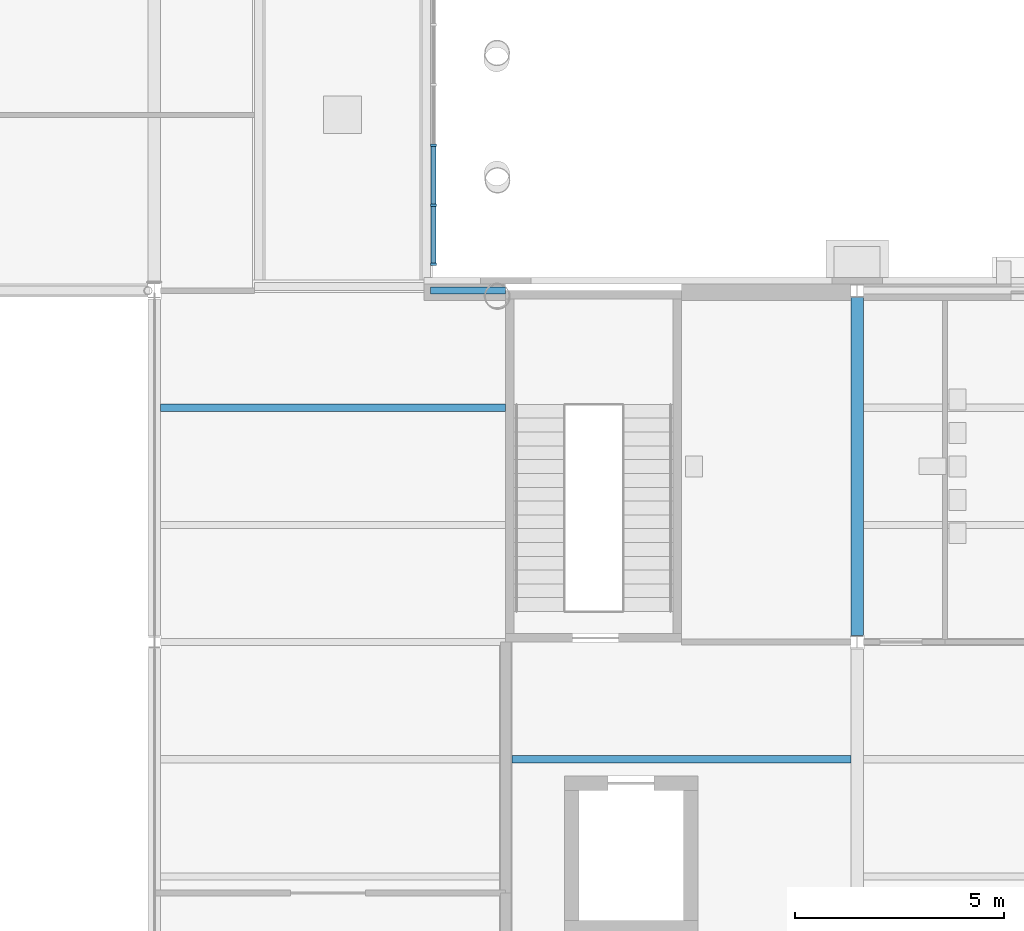
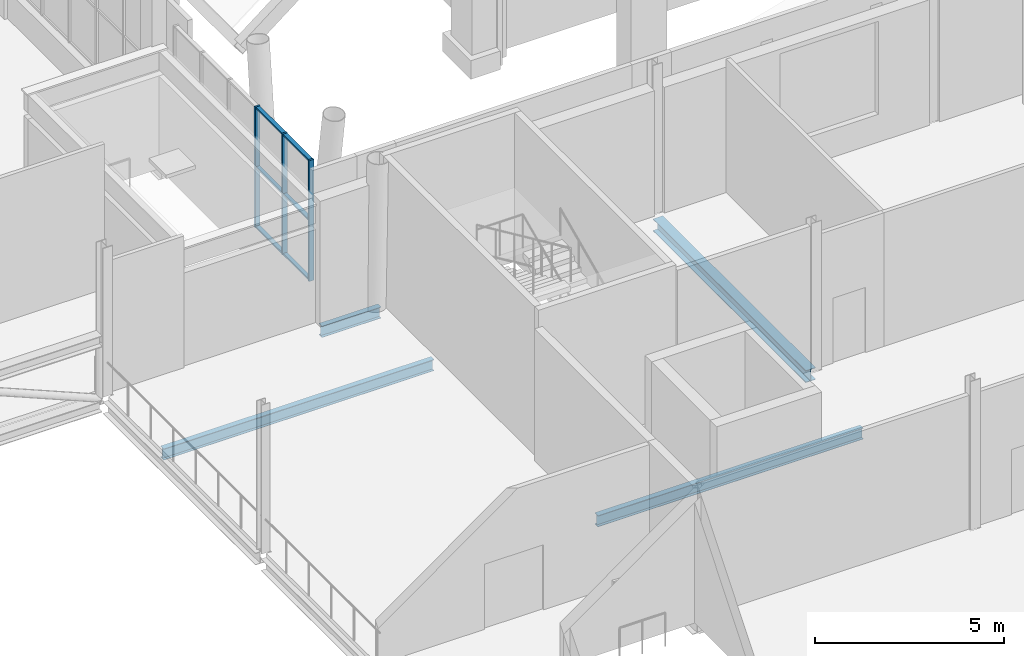
# One storey, part 24 of 76: 9 members, 4 beams, 1 element without a shape of its own.
"""IFC4 building model written with IfcOpenShell, lengths in metres."""

from ifc_helpers import new_model, si_unit, direction, frame, origin, origin_2d, place, context, subcontext, project, spatial, rectangle, i_section, extrude, material, material_profile, profile_set, type_object, element, aggregate, save


model = new_model("IFC4")

# Units and contexts
model_context = context("Model", 3, precision=1e-05, world=origin(), true_north=direction((0.0, 1.0)))
body_context = subcontext(model_context, "Body", "Model", "MODEL_VIEW")
ifc_project = project(units=[si_unit("LENGTHUNIT", "METRE"), si_unit("AREAUNIT", "SQUARE_METRE"), si_unit("VOLUMEUNIT", "CUBIC_METRE"), si_unit("PLANEANGLEUNIT", "RADIAN"), si_unit("MASSUNIT", "GRAM", prefix="KILO")], contexts=[model_context])

# Site, building, storey
site_placement = place(None, origin())
site = spatial("IfcSite", under=ifc_project, at=site_placement, CompositionType="ELEMENT")
building_placement = place(site_placement, origin())
building = spatial("IfcBuilding", under=site, at=building_placement, Name="Sava Quay Ferry Terminal", CompositionType="ELEMENT")
storey_placement = place(building_placement, frame((0.0, 0.0, 6.0)))
storey = spatial("IfcBuildingStorey", under=building, at=storey_placement, Name="L01", CompositionType="ELEMENT", Elevation=6.0)

# Beams
ifc_material_1 = material(Name="Steel S355", Category="steel")
ifc_material_profile_1 = material_profile(ifc_material_1, i_section(OverallWidth=0.169921875, OverallDepth=0.360107421875, WebThickness=0.008056640625, FlangeThickness=0.0126953125, at=origin_2d()), Name="IPE 360")
ifc_profile_set_1 = profile_set([ifc_material_profile_1], Name="Steel S355")
beam_type_1 = type_object("IfcBeamType", Name="Beam IPE 360", PredefinedType="BEAM", material=ifc_profile_set_1)
beam_1_placement = place(storey_placement, frame((82.199951171875, 50.39990234375, -0.31005859375), z_axis=(1.0, 0.0, 0.0), x_axis=(0.0, 1.0, 0.0)))
element("IfcBeam", 1, at=beam_1_placement, inside=storey, type_object=beam_type_1, Name="Beam L01", PredefinedType="BEAM", context=body_context, shape_type="SweptSolid", body=[
    extrude(i_section(OverallWidth=0.169921875, OverallDepth=0.360107421875, WebThickness=0.008056640625, FlangeThickness=0.0126953125, at=origin_2d()), origin(), (0.0, 0.0, 1.0), 1.800048828125),
])
beam_2_placement = place(storey_placement, frame((75.75, 47.60009765625, -0.31005859375), z_axis=(1.0, 0.0, 0.0), x_axis=(0.0, 1.0, 0.0)))
element("IfcBeam", 2, at=beam_2_placement, inside=storey, type_object=beam_type_1, Name="Secondary beam L01", PredefinedType="BEAM", context=body_context, shape_type="SweptSolid", body=[
    extrude(i_section(OverallWidth=0.169921875, OverallDepth=0.360107421875, WebThickness=0.008056640625, FlangeThickness=0.0126953125, at=origin_2d()), origin(), (0.0, 0.0, 1.0), 8.25),
])
beam_3_placement = place(storey_placement, frame((84.14990234375, 39.199951171875, -0.31005859375), z_axis=(1.0, 0.0, 0.0), x_axis=(0.0, 1.0, 0.0)))
element("IfcBeam", 3, at=beam_3_placement, inside=storey, type_object=beam_type_1, Name="Secondary beam L01", PredefinedType="BEAM", context=body_context, shape_type="SweptSolid", body=[
    extrude(i_section(OverallWidth=0.169921875, OverallDepth=0.360107421875, WebThickness=0.008056640625, FlangeThickness=0.0126953125, at=origin_2d()), origin(), (0.0, 0.0, 1.0), 8.10009765625),
])
ifc_material_2 = material(Name="Steel S355", Category="steel")
ifc_material_profile_2 = material_profile(ifc_material_2, i_section(OverallWidth=0.300048828125, OverallDepth=0.389892578125, WebThickness=0.010986328125, FlangeThickness=0.01904296875, at=origin_2d()), Name="HE 400 A")
ifc_profile_set_2 = profile_set([ifc_material_profile_2], Name="Steel S355")
beam_type_2 = type_object("IfcBeamType", Name="Girder HE 400 A", PredefinedType="BEAM", material=ifc_profile_set_2)
beam_4_placement = place(storey_placement, frame((92.39990234375, 42.159912109375, -0.324951171875), z_axis=(0.0, 1.0, 0.0), x_axis=(-1.0, 0.0, 0.0)))
element("IfcBeam", 4, at=beam_4_placement, inside=storey, type_object=beam_type_2, Name="Girder L01", PredefinedType="BEAM", context=body_context, shape_type="SweptSolid", body=[
    extrude(i_section(OverallWidth=0.300048828125, OverallDepth=0.389892578125, WebThickness=0.010986328125, FlangeThickness=0.01904296875, at=origin_2d()), origin(), (0.0, 0.0, 1.0), 8.080078125),
])

# Curtain wall, members
ifc_material_3 = material(Name="Aluminium and glass curtain wall, double low-e glazed", Category="aluminium")
curtain_wall_type = type_object("IfcCurtainWallType", Name="Curtain wall CW-F flank", PredefinedType="NOTDEFINED", material=ifc_material_3)
curtain_wall_placement = place(storey_placement, origin())
curtain_wall = element("IfcCurtainWall", 5, at=curtain_wall_placement, inside=storey, type_object=curtain_wall_type, Name="Curtain wall D-E L01 bay 1", PredefinedType="NOTDEFINED")
ifc_material_4 = material(Name="Aluminium EN AW-6063 T6", Category="aluminium")
ifc_material_profile_3 = material_profile(ifc_material_4, rectangle(XDim=0.14990234375, YDim=0.06005859375, at=origin_2d()), Name="Mullion 60x150 aluminium")
ifc_profile_set_3 = profile_set([ifc_material_profile_3], Name="Aluminium EN AW-6063 T6")
member_type_1 = type_object("IfcMemberType", Name="Mullion 60x150 aluminium", PredefinedType="MULLION", material=ifc_profile_set_3)
member_1_placement = place(storey_placement, frame((82.27490234375, 51.030029296875, 0.89990234375), z_axis=(0.0, 0.0, 1.0), x_axis=(-1.0, 0.0, 0.0)))
member_1 = element("IfcMember", 6, at=member_1_placement, type_object=member_type_1, Name="CW37 mullion 1", PredefinedType="MULLION", context=body_context, shape_type="SweptSolid", body=[
    extrude(rectangle(XDim=0.14990234375, YDim=0.06005859375, at=origin_2d()), origin(), (0.0, 0.0, 1.0), 3.900146484375),
])
member_2_placement = place(storey_placement, frame((82.27490234375, 52.43994140625, 0.89990234375), z_axis=(0.0, 0.0, 1.0), x_axis=(-1.0, 0.0, 0.0)))
member_2 = element("IfcMember", 7, at=member_2_placement, type_object=member_type_1, Name="CW37 mullion 2", PredefinedType="MULLION", context=body_context, shape_type="SweptSolid", body=[
    extrude(rectangle(XDim=0.14990234375, YDim=0.06005859375, at=origin_2d()), origin(), (0.0, 0.0, 1.0), 3.900146484375),
])
member_3_placement = place(storey_placement, frame((82.27490234375, 53.8798828125, 0.89990234375), z_axis=(0.0, 0.0, 1.0), x_axis=(-1.0, 0.0, 0.0)))
member_3 = element("IfcMember", 8, at=member_3_placement, type_object=member_type_1, Name="CW37 mullion 3", PredefinedType="MULLION", context=body_context, shape_type="SweptSolid", body=[
    extrude(rectangle(XDim=0.14990234375, YDim=0.06005859375, at=origin_2d()), origin(), (0.0, 0.0, 1.0), 3.900146484375),
])
ifc_material_5 = material(Name="Aluminium EN AW-6063 T6", Category="aluminium")
ifc_material_profile_4 = material_profile(ifc_material_5, rectangle(XDim=0.1201171875, YDim=0.050048828125, at=origin_2d()), Name="Transom 50x120 aluminium")
ifc_profile_set_4 = profile_set([ifc_material_profile_4], Name="Aluminium EN AW-6063 T6")
member_type_2 = type_object("IfcMemberType", Name="Transom 50x120 aluminium", PredefinedType="USERDEFINED", material=ifc_profile_set_4)
member_4_placement = place(storey_placement, frame((82.27490234375, 51.06005859375, 0.925048828125), z_axis=(0.0, 1.0, 0.0), x_axis=(-1.0, 0.0, 0.0)))
member_4 = element("IfcMember", 9, at=member_4_placement, type_object=member_type_2, Name="CW37 transom 1.1", ObjectType="TRANSOM", PredefinedType="USERDEFINED", context=body_context, shape_type="SweptSolid", body=[
    extrude(rectangle(XDim=0.1201171875, YDim=0.050048828125, at=origin_2d()), origin(), (0.0, 0.0, 1.0), 1.349853515625),
])
member_5_placement = place(storey_placement, frame((82.27490234375, 51.06005859375, 2.85009765625), z_axis=(0.0, 1.0, 0.0), x_axis=(-1.0, 0.0, 0.0)))
member_5 = element("IfcMember", 10, at=member_5_placement, type_object=member_type_2, Name="CW37 transom 1.2", ObjectType="TRANSOM", PredefinedType="USERDEFINED", context=body_context, shape_type="SweptSolid", body=[
    extrude(rectangle(XDim=0.1201171875, YDim=0.050048828125, at=origin_2d()), origin(), (0.0, 0.0, 1.0), 1.349853515625),
])
member_6_placement = place(storey_placement, frame((82.27490234375, 51.06005859375, 4.77490234375), z_axis=(0.0, 1.0, 0.0), x_axis=(-1.0, 0.0, 0.0)))
member_6 = element("IfcMember", 11, at=member_6_placement, type_object=member_type_2, Name="CW37 transom 1.3", ObjectType="TRANSOM", PredefinedType="USERDEFINED", context=body_context, shape_type="SweptSolid", body=[
    extrude(rectangle(XDim=0.1201171875, YDim=0.050048828125, at=origin_2d()), origin(), (0.0, 0.0, 1.0), 1.349853515625),
])
member_7_placement = place(storey_placement, frame((82.27490234375, 52.469970703125, 0.925048828125), z_axis=(0.0, 1.0, 0.0), x_axis=(-1.0, 0.0, 0.0)))
member_7 = element("IfcMember", 12, at=member_7_placement, type_object=member_type_2, Name="CW37 transom 2.1", ObjectType="TRANSOM", PredefinedType="USERDEFINED", context=body_context, shape_type="SweptSolid", body=[
    extrude(rectangle(XDim=0.1201171875, YDim=0.050048828125, at=origin_2d()), origin(), (0.0, 0.0, 1.0), 1.380126953125),
])
member_8_placement = place(storey_placement, frame((82.27490234375, 52.469970703125, 2.85009765625), z_axis=(0.0, 1.0, 0.0), x_axis=(-1.0, 0.0, 0.0)))
member_8 = element("IfcMember", 13, at=member_8_placement, type_object=member_type_2, Name="CW37 transom 2.2", ObjectType="TRANSOM", PredefinedType="USERDEFINED", context=body_context, shape_type="SweptSolid", body=[
    extrude(rectangle(XDim=0.1201171875, YDim=0.050048828125, at=origin_2d()), origin(), (0.0, 0.0, 1.0), 1.380126953125),
])
member_9_placement = place(storey_placement, frame((82.27490234375, 52.469970703125, 4.77490234375), z_axis=(0.0, 1.0, 0.0), x_axis=(-1.0, 0.0, 0.0)))
member_9 = element("IfcMember", 14, at=member_9_placement, type_object=member_type_2, Name="CW37 transom 2.3", ObjectType="TRANSOM", PredefinedType="USERDEFINED", context=body_context, shape_type="SweptSolid", body=[
    extrude(rectangle(XDim=0.1201171875, YDim=0.050048828125, at=origin_2d()), origin(), (0.0, 0.0, 1.0), 1.380126953125),
])
aggregate(curtain_wall, [member_1, member_2, member_3, member_4, member_5, member_6, member_7, member_8, member_9])

save(model, "model.ifc")
